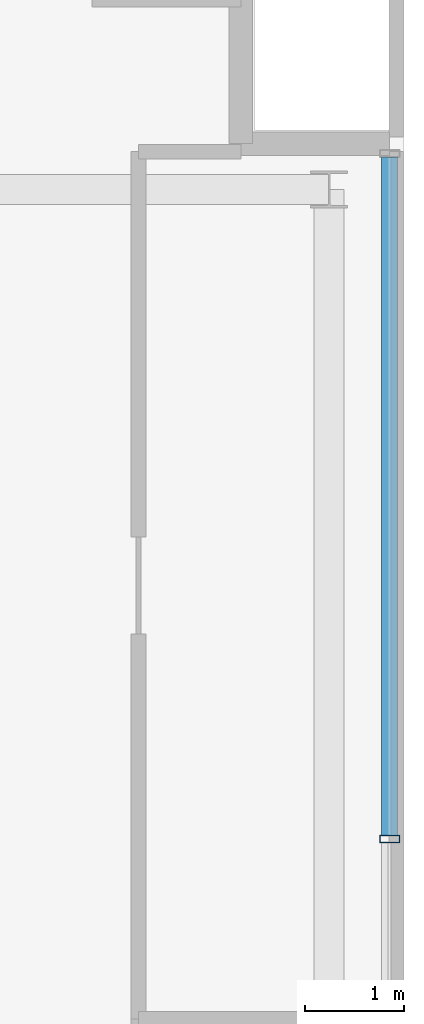
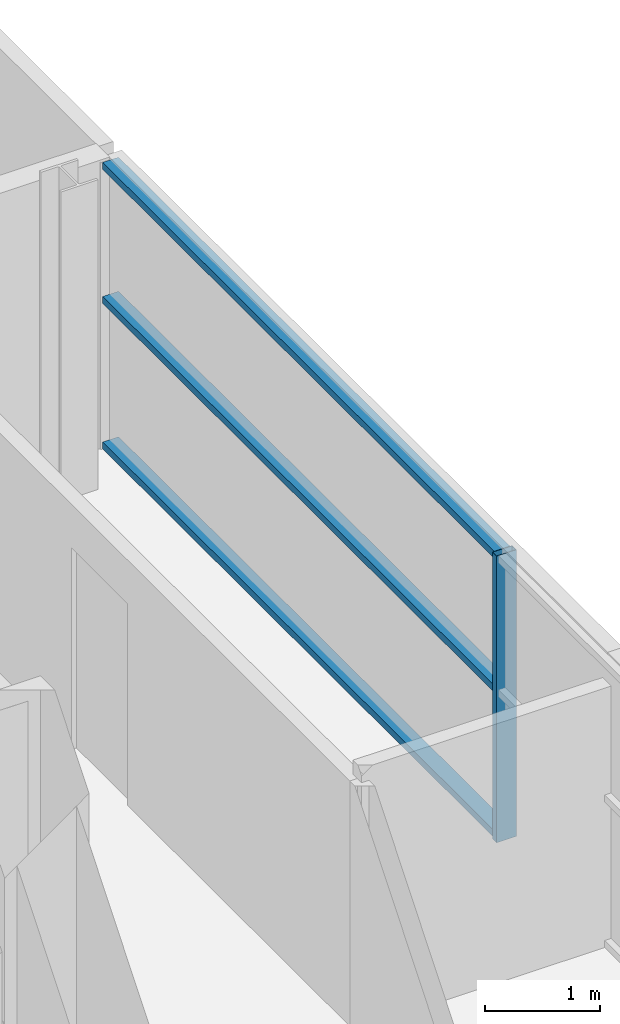
# One storey, part 10 of 22: 4 members, 1 element without a shape of its own.
"""IFC4 building model written with IfcOpenShell, lengths in metres."""

from ifc_helpers import new_model, si_unit, direction, frame, origin, origin_2d, place, context, subcontext, project, spatial, hollow_rectangle, extrude, source, transform, mapped, material, layer, layer_set, material_profile, profile_set, type_object, element, aggregate, save


model = new_model("IFC4")

# Units and contexts
model_context = context("Model", 3, precision=1e-05, world=origin(), true_north=direction((0.0, 1.0)))
body_context = subcontext(model_context, "Body", "Model", "MODEL_VIEW")
ifc_project = project(units=[si_unit("LENGTHUNIT", "METRE"), si_unit("AREAUNIT", "SQUARE_METRE"), si_unit("VOLUMEUNIT", "CUBIC_METRE"), si_unit("PLANEANGLEUNIT", "RADIAN"), si_unit("MASSUNIT", "GRAM", prefix="KILO")], contexts=[model_context])

# Site, building, storey
site_placement = place(None, origin())
site = spatial("IfcSite", under=ifc_project, at=site_placement, CompositionType="ELEMENT")
building_placement = place(site_placement, origin())
building = spatial("IfcBuilding", under=site, at=building_placement, Name="Zarnakvel Exchange Tower", CompositionType="ELEMENT")
storey_placement = place(building_placement, frame((0.0, 0.0, 215.5)))
storey = spatial("IfcBuildingStorey", under=building, at=storey_placement, Name="L60", CompositionType="ELEMENT", Elevation=215.5)

# Curtain wall, members
ifc_material = material(Name="Architectural Bronze Anodised Aluminium", Category="aluminium")
ifc_layer = layer(ifc_material, 0.199951171875)
ifc_layer_set = layer_set([ifc_layer], Name="Architectural Bronze Anodised Aluminium")
curtain_wall_type = type_object("IfcCurtainWallType", Name="CW-04", PredefinedType="NOTDEFINED", material=ifc_layer_set)
curtain_wall_placement = place(storey_placement, origin())
curtain_wall = element("IfcCurtainWall", 1, at=curtain_wall_placement, inside=storey, type_object=curtain_wall_type, Name="L60 Curtain Wall CW-L60-E1 (CW-04)", PredefinedType="NOTDEFINED")
ifc_material_profile_1 = material_profile(ifc_material, hollow_rectangle(XDim=0.199951171875, YDim=0.074951171875, WallThickness=0.0048828125, at=origin_2d()))
ifc_profile_set_1 = profile_set([ifc_material_profile_1], Name="Architectural Bronze Anodised Aluminium")
member_type_1 = type_object("IfcMemberType", Name="CWM-04", PredefinedType="MULLION", material=ifc_profile_set_1)
shared_shape_1 = source(origin(), body_context, "Body", "SweptSolid", [
    extrude(hollow_rectangle(XDim=0.199951171875, YDim=0.074951171875, WallThickness=0.0048828125, at=origin_2d()), origin(), (0.0, 0.0, 1.0), 3.054931640625),
])
member_1_placement = place(storey_placement, frame((19.4599609375, 6.949951171875, 0.0), z_axis=(0.0, 0.0, 1.0), x_axis=(-1.0, 0.0, 0.0)))
member_1 = element("IfcMember", 2, at=member_1_placement, type_object=member_type_1, Name="CW-04 mullion 4", PredefinedType="MULLION", context=body_context, shape_type="MappedRepresentation", body=[
    mapped(shared_shape_1, transform((0.0, 0.0, 0.0), x_axis=(1.0, 0.0, 0.0), y_axis=(0.0, 1.0, 0.0), z_axis=(0.0, 0.0, 1.0), scale=1.0)),
])
ifc_material_profile_2 = material_profile(ifc_material, hollow_rectangle(XDim=0.159912109375, YDim=0.074951171875, WallThickness=0.00390625, at=origin_2d()))
ifc_profile_set_2 = profile_set([ifc_material_profile_2], Name="Architectural Bronze Anodised Aluminium")
member_type_2 = type_object("IfcMemberType", Name="CWT-04", PredefinedType="USERDEFINED", material=ifc_profile_set_2)
shared_shape_2 = source(origin(), body_context, "Body", "SweptSolid", [
    extrude(hollow_rectangle(XDim=0.159912109375, YDim=0.074951171875, WallThickness=0.00390625, at=origin_2d()), origin(), (0.0, 0.0, 1.0), 6.83740234375),
])
member_2_placement = place(storey_placement, frame((19.4599609375, 6.987548828125, 0.03759765625), z_axis=(0.0, 1.0, 0.0), x_axis=(-1.0, 0.0, 0.0)))
member_2 = element("IfcMember", 3, at=member_2_placement, type_object=member_type_2, Name="CW-04 transom 4.1", ObjectType="TRANSOM", PredefinedType="USERDEFINED", context=body_context, shape_type="MappedRepresentation", body=[
    mapped(shared_shape_2, transform((0.0, 0.0, 0.0), x_axis=(1.0, 0.0, 0.0), y_axis=(0.0, 1.0, 0.0), z_axis=(0.0, 0.0, 1.0), scale=1.0)),
])
member_3_placement = place(storey_placement, frame((19.4599609375, 6.987548828125, 1.588623046875), z_axis=(0.0, 1.0, 0.0), x_axis=(-1.0, 0.0, 0.0)))
member_3 = element("IfcMember", 4, at=member_3_placement, type_object=member_type_2, Name="CW-04 transom 4.2", ObjectType="TRANSOM", PredefinedType="USERDEFINED", context=body_context, shape_type="MappedRepresentation", body=[
    mapped(shared_shape_2, transform((0.0, 0.0, 0.0), x_axis=(1.0, 0.0, 0.0), y_axis=(0.0, 1.0, 0.0), z_axis=(0.0, 0.0, 1.0), scale=1.0)),
])
member_4_placement = place(storey_placement, frame((19.4599609375, 6.987548828125, 3.017578125), z_axis=(0.0, 1.0, 0.0), x_axis=(-1.0, 0.0, 0.0)))
member_4 = element("IfcMember", 5, at=member_4_placement, type_object=member_type_2, Name="CW-04 transom 4.3", ObjectType="TRANSOM", PredefinedType="USERDEFINED", context=body_context, shape_type="MappedRepresentation", body=[
    mapped(shared_shape_2, transform((0.0, 0.0, 0.0), x_axis=(1.0, 0.0, 0.0), y_axis=(0.0, 1.0, 0.0), z_axis=(0.0, 0.0, 1.0), scale=1.0)),
])
aggregate(curtain_wall, [member_1, member_2, member_3, member_4])

save(model, "model.ifc")
